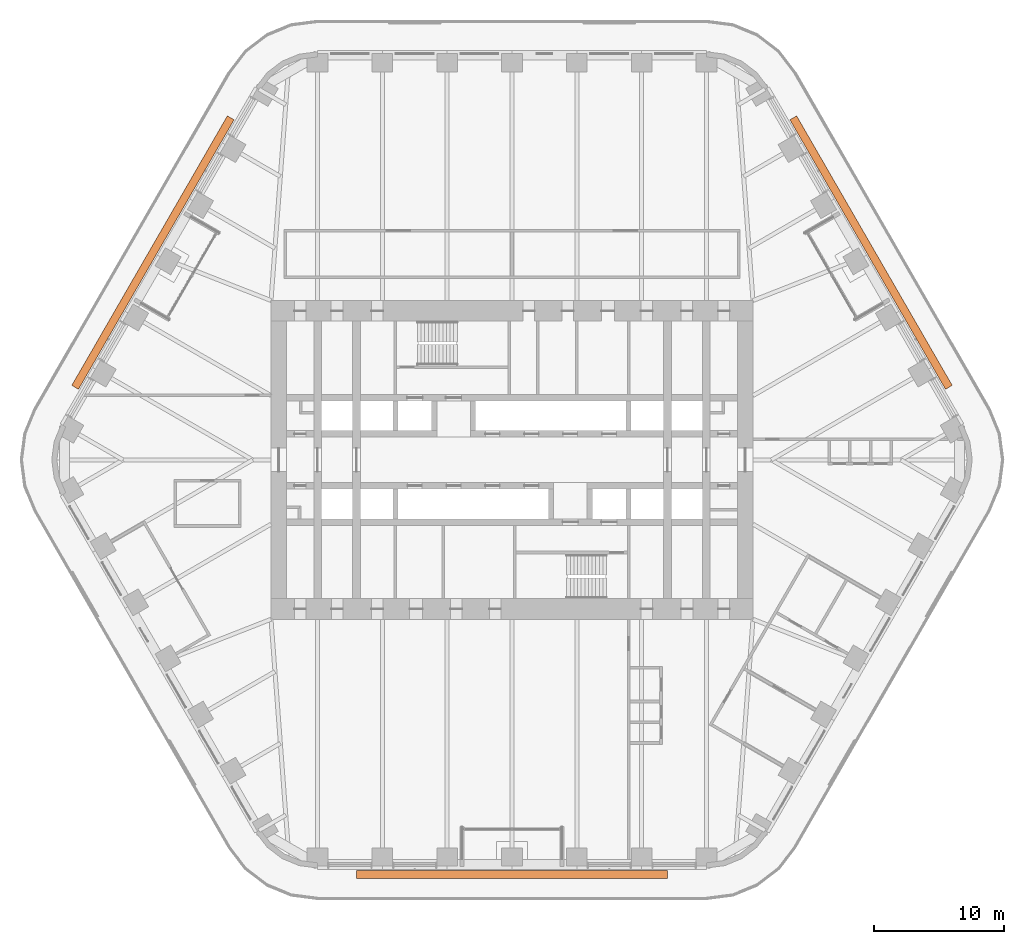
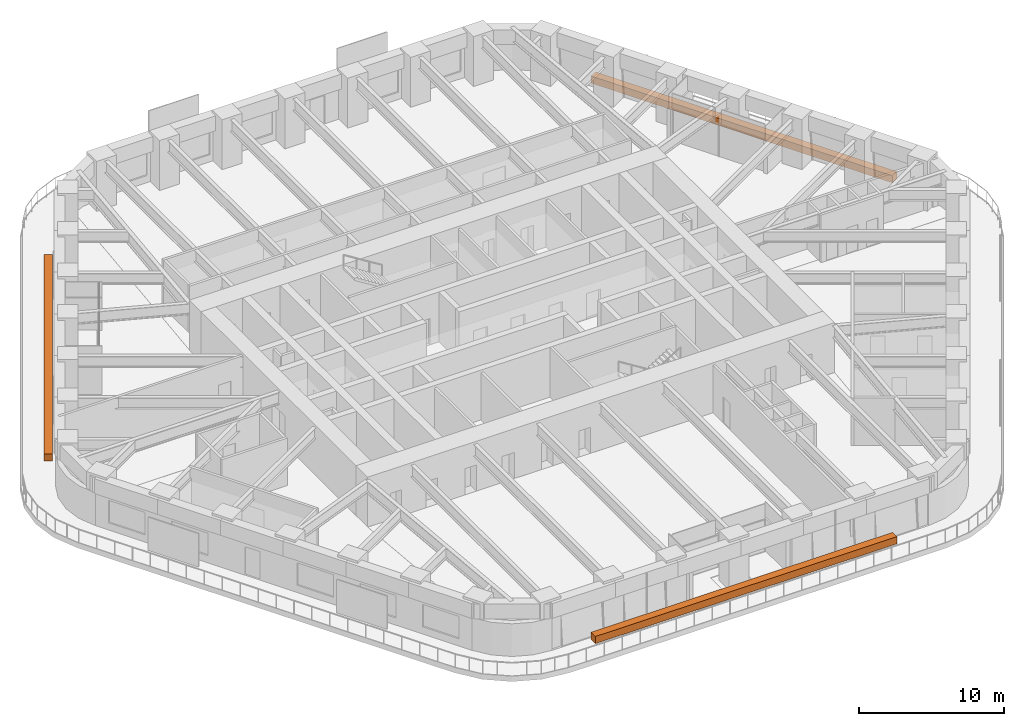
# One storey, part 24 of 24: 3 proxies.
"""IFC4 building model written with IfcOpenShell, lengths in metres."""

import ifcopenshell
import ifcopenshell.guid

model = None  # the IFC model being written
_history = None  # IfcOwnerHistory: only IFC2X3 demands one
_inside = {}  # id of a spatial element -> (the spatial element, [elements in it])
_under = {}  # id of a project, library or spatial element -> (it, [spatial elements below it])
_declared = {}  # id of a project -> (the project, [libraries it declares])
_typed = {}  # id of a type object -> (the type object, [elements of that type])
_made_of = {}  # id of a material, layer set ... -> (it, [elements and type objects made of it])


def new_model(schema):
    """Start an empty IFC model of exactly this schema.

    Asked for "IFC4X3", IfcOpenShell would pick the latest addendum, in which some entities
    have other attributes; the version numbers below select the first issue.
    IFC2X3 requires an IfcOwnerHistory on every rooted entity: one is made here for all.
    """
    global model, _history
    if schema == "IFC4X3":
        model = ifcopenshell.file(schema_version=(4, 3, 0, 0))
    else:
        model = ifcopenshell.file(schema=schema)
    _inside.clear()
    _under.clear()
    _declared.clear()
    _typed.clear()
    _made_of.clear()
    _history = None
    if model.schema == "IFC2X3":
        org = make("IfcOrganization", Name="unknown")
        user = make(
            "IfcPersonAndOrganization",
            ThePerson=make("IfcPerson", FamilyName="unknown"),
            TheOrganization=org,
        )
        app = make(
            "IfcApplication",
            ApplicationDeveloper=org,
            Version="unknown",
            ApplicationFullName="unknown",
            ApplicationIdentifier="unknown",
        )
        _history = make(
            "IfcOwnerHistory",
            OwningUser=user,
            OwningApplication=app,
            ChangeAction="ADDED",
            CreationDate=0,
        )
    return model


def make(cls, **values):
    """One entity of the class cls with the attributes given. An attribute that is None is left unset."""
    return model.create_entity(
        cls, **{name: value for name, value in values.items() if value is not None}
    )


def rooted(cls, **values):
    """An entity with a GlobalId (a new one), such as an element, a storey or a relation."""
    return make(cls, GlobalId=ifcopenshell.guid.new(), OwnerHistory=_history, **values)


def si_unit(unit_type, name, prefix=None):
    """IfcSIUnit, for example si_unit("LENGTHUNIT", "METRE", prefix="MILLI")."""
    return make("IfcSIUnit", UnitType=unit_type, Prefix=prefix, Name=name)


def assignment(units):
    """IfcUnitAssignment: the units of a project."""
    return None if units is None else make("IfcUnitAssignment", Units=units)


def point(xyz):
    """IfcCartesianPoint."""
    return None if xyz is None else make("IfcCartesianPoint", Coordinates=xyz)


def direction(xyz):
    """IfcDirection."""
    return None if xyz is None else make("IfcDirection", DirectionRatios=xyz)


def frame(location, z_axis=None, x_axis=None):
    """IfcAxis2Placement3D, a coordinate frame: its origin and axes. An axis left out is left unset."""
    return make(
        "IfcAxis2Placement3D",
        Location=point(location),
        Axis=direction(z_axis),
        RefDirection=direction(x_axis),
    )


def frame_2d(location, x_axis=None):
    """IfcAxis2Placement2D, a coordinate frame in the plane: its origin and x axis."""
    return make(
        "IfcAxis2Placement2D", Location=point(location), RefDirection=direction(x_axis)
    )


def origin():
    """The frame at (0, 0, 0) with its axes left unset."""
    return frame((0.0, 0.0, 0.0))


def origin_2d():
    """The frame at (0, 0) in the plane with its x axis left unset."""
    return frame_2d((0.0, 0.0))


def place(relative_to, where):
    """IfcLocalPlacement: puts the frame where relative to a parent placement (None: the world)."""
    return make(
        "IfcLocalPlacement", PlacementRelTo=relative_to, RelativePlacement=where
    )


def context(
    kind, dimensions, precision=None, world=None, true_north=None, identifier=None
):
    """IfcGeometricRepresentationContext, for example the 3D "Model" context."""
    return make(
        "IfcGeometricRepresentationContext",
        ContextIdentifier=identifier,
        ContextType=kind,
        CoordinateSpaceDimension=dimensions,
        Precision=precision,
        WorldCoordinateSystem=world,
        TrueNorth=true_north,
    )


def subcontext(parent, identifier, kind, view, scale=None):
    """IfcGeometricRepresentationSubContext, for example "Body" below "Model"."""
    return make(
        "IfcGeometricRepresentationSubContext",
        ContextIdentifier=identifier,
        ContextType=kind,
        ParentContext=parent,
        TargetScale=scale,
        TargetView=view,
    )


def project(units=None, contexts=None):
    """IfcProject with its units and contexts."""
    return rooted(
        "IfcProject",
        Name="project",
        RepresentationContexts=contexts,
        UnitsInContext=assignment(units),
    )


def spatial(cls, under=None, at=None, **own):
    """A site, building, storey or space (cls), placed at a placement, below another one or the project."""
    s = rooted(cls, ObjectPlacement=at, **own)
    if under is not None:
        _under.setdefault(under.id(), (under, []))[1].append(s)
    return s


def profile(cls, at=None, kind="AREA", **sizes):
    """A parametric profile (cls). Its sizes go by their IFC names, for example OverallWidth=200.0."""
    return make(cls, ProfileType=kind, Position=at, **sizes)


def rectangle(**sizes):
    """IfcRectangleProfileDef."""
    return profile("IfcRectangleProfileDef", **sizes)


def extrude(swept, where, along, depth):
    """IfcExtrudedAreaSolid: the profile swept, set in the frame where, extruded along a direction by depth."""
    return make(
        "IfcExtrudedAreaSolid",
        SweptArea=swept,
        Position=where,
        ExtrudedDirection=direction(along),
        Depth=depth,
    )


def shape(context_of_items, identifier, shape_type, items):
    """IfcShapeRepresentation: the items that make up one representation, for example the "Body"."""
    return make(
        "IfcShapeRepresentation",
        ContextOfItems=context_of_items,
        RepresentationIdentifier=identifier,
        RepresentationType=shape_type,
        Items=items,
    )


def material(Name=None, Category=None):
    """IfcMaterial."""
    return make("IfcMaterial", Name=Name, Category=Category)


def made_of(thing, what):
    """Note that an element or type object is made of a material, layer set ...; save() writes the relation."""
    if what is not None:
        _made_of.setdefault(what.id(), (what, []))[1].append(thing)
    return thing


def element(
    cls,
    number,
    at=None,
    inside=None,
    cuts=None,
    type_object=None,
    material=None,
    context=None,
    identifier="Body",
    shape_type=None,
    held_by="IfcProductDefinitionShape",
    body=None,
    shapes=None,
    **own,
):
    """One element of the class cls, such as IfcWall. Its Tag is "e" and its number.

    at: its placement. inside: the storey or other place that contains it. cuts: it is an
    opening in that element (IfcRelVoidsElement). A single representation is given by context,
    identifier, shape_type and body (its items); several are given by shapes. held_by: the class
    of the entity that holds the representations. save() writes the other relations.
    """
    e = rooted(cls, Tag="e%d" % number, ObjectPlacement=at, **own)
    if body is not None:
        shapes = [shape(context, identifier, shape_type, body)]
    if shapes is not None:
        e.Representation = make(held_by, Representations=shapes)
    if inside is not None:
        _inside.setdefault(inside.id(), (inside, []))[1].append(e)
    if cuts is not None:
        rooted(
            "IfcRelVoidsElement", RelatingBuildingElement=cuts, RelatedOpeningElement=e
        )
    if type_object is not None:
        _typed.setdefault(type_object.id(), (type_object, []))[1].append(e)
    return made_of(e, material)


def aggregate(whole, parts):
    """IfcRelAggregates: a whole, such as a stair, and the parts it consists of."""
    return rooted("IfcRelAggregates", RelatingObject=whole, RelatedObjects=parts)


def save(model, path):
    """Write the relations noted so far, then the file.

    IfcRelAggregates (storeys below a building ...), IfcRelContainedInSpatialStructure (elements
    in a storey), IfcRelDefinesByType, IfcRelAssociatesMaterial and IfcRelDeclares: one each for
    every whole, place, type object, material and project.
    """
    for whole, parts in _under.values():
        aggregate(whole, parts)
    for where, things in _inside.values():
        rooted(
            "IfcRelContainedInSpatialStructure",
            RelatedElements=things,
            RelatingStructure=where,
        )
    for kind, things in _typed.values():
        rooted("IfcRelDefinesByType", RelatedObjects=things, RelatingType=kind)
    for what, things in _made_of.values():
        rooted("IfcRelAssociatesMaterial", RelatedObjects=things, RelatingMaterial=what)
    for by, libraries in _declared.values():
        rooted("IfcRelDeclares", RelatingContext=by, RelatedDefinitions=libraries)
    model.write(path)


model = new_model("IFC4")

# Units and contexts
model_context = context("Model", 3, precision=1e-05, world=origin(), true_north=direction((0.0, 1.0)))
body_context = subcontext(model_context, "Body", "Model", "MODEL_VIEW")
ifc_project = project(units=[si_unit("LENGTHUNIT", "METRE"), si_unit("AREAUNIT", "SQUARE_METRE"), si_unit("VOLUMEUNIT", "CUBIC_METRE"), si_unit("PLANEANGLEUNIT", "RADIAN"), si_unit("MASSUNIT", "GRAM", prefix="KILO")], contexts=[model_context])

# Site, building, storey
site_placement = place(None, origin())
site = spatial("IfcSite", under=ifc_project, at=site_placement, CompositionType="ELEMENT")
building_placement = place(site_placement, origin())
building = spatial("IfcBuilding", under=site, at=building_placement, Name="Tarfa Lantern Tower", CompositionType="ELEMENT")
storey_placement = place(building_placement, frame((0.0, 0.0, 161.5)))
storey = spatial("IfcBuildingStorey", under=building, at=storey_placement, Name="L36", CompositionType="ELEMENT", Elevation=161.5)

# Proxies
ifc_material = material(Name="Planting bed")
for number, where, z_axis, x_axis, name in (
    (1, (27.712890625, 16.0, 0.0), (0.0, 0.0, 1.0), (-0.5, 0.866025403784, 0.0), "Balcony planter"),
    (2, (-27.712890625, 16.0, 0.0), (0.0, 0.0, 1.0), (-0.5, -0.866025403784, 0.0), "Balcony planter"),
    (3, (0.0, -32.0, 0.0), (0.0, 0.0, 1.0), (1.0, 0.0, 0.0), "Balcony planter"),
):
    element("IfcBuildingElementProxy", number, at=place(storey_placement, frame(where, z_axis=z_axis, x_axis=x_axis)), inside=storey, material=ifc_material, Name=name, ObjectType="PLANTER", PredefinedType="USERDEFINED", context=body_context, shape_type="SweptSolid", body=[
        extrude(rectangle(XDim=24.017822265625, YDim=0.60009765625, at=origin_2d()), origin(), (0.0, 0.0, 1.0), 0.60009765625),
    ])

save(model, "model.ifc")
